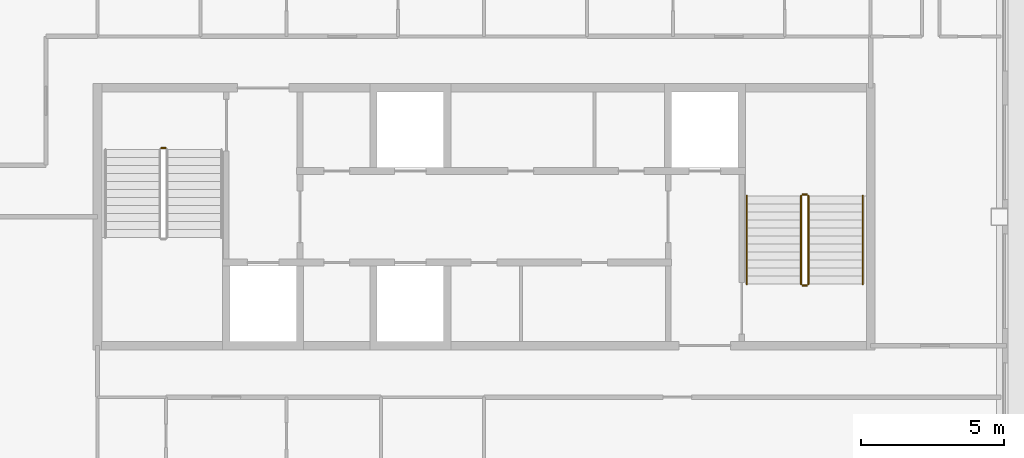
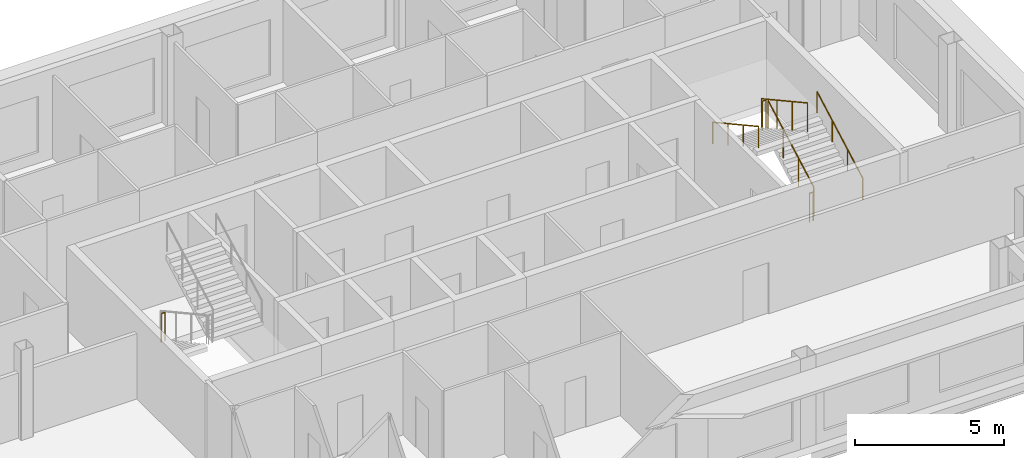
# One storey, part 12 of 12: 7 railings.
"""IFC4 building model written with IfcOpenShell, lengths in metres."""

from ifc_helpers import new_model, si_unit, direction, frame, origin, origin_2d, place, context, subcontext, project, spatial, circle, extrude, material, type_object, element, save


model = new_model("IFC4")

# Units and contexts
model_context = context("Model", 3, precision=1e-05, world=origin(), true_north=direction((0.0, 1.0)))
body_context = subcontext(model_context, "Body", "Model", "MODEL_VIEW")
ifc_project = project(units=[si_unit("LENGTHUNIT", "METRE"), si_unit("AREAUNIT", "SQUARE_METRE"), si_unit("VOLUMEUNIT", "CUBIC_METRE"), si_unit("PLANEANGLEUNIT", "RADIAN"), si_unit("MASSUNIT", "GRAM", prefix="KILO")], contexts=[model_context])

# Site, building, storey
site_placement = place(None, origin())
site = spatial("IfcSite", under=ifc_project, at=site_placement, CompositionType="ELEMENT")
building_placement = place(site_placement, origin())
building = spatial("IfcBuilding", under=site, at=building_placement, Name="Caravel Reach Hotel and Residences", CompositionType="ELEMENT")
storey_placement = place(building_placement, frame((0.0, 0.0, 241.60009765625)))
storey = spatial("IfcBuildingStorey", under=building, at=storey_placement, Name="L61", CompositionType="ELEMENT", Elevation=241.60009765625)

# Railings
ifc_material_1 = material(Name="Steel balustrade with glass infill", Category="steel")
railing_type_1 = type_object("IfcRailingType", Name="Guard 1200", PredefinedType="GUARDRAIL", material=ifc_material_1)
railing_1_placement = place(storey_placement, frame((20.22509765625, 29.39990234375, 0.0)))
element("IfcRailing", 1, at=railing_1_placement, inside=storey, type_object=railing_type_1, Name="L61 ST-A stair guard 4", PredefinedType="GUARDRAIL", context=body_context, shape_type="SweptSolid", body=[
    extrude(circle(Radius=0.02392578125, at=origin_2d()), frame((0.0, 0.0, 1.17578125), z_axis=(1.0, 0.0, 0.0), x_axis=(0.0, 1.0, 0.0)), (0.0, 0.0, 1.0), 0.14990234375),
    extrude(circle(Radius=0.02099609375, at=origin_2d()), origin(), (0.0, 0.0, 1.0), 1.15185546875),
    extrude(circle(Radius=0.02099609375, at=origin_2d()), frame((0.14990234375, 0.0, 0.0)), (0.0, 0.0, 1.0), 1.15185546875),
])
railing_2_placement = place(storey_placement, frame((42.824951171875, 24.64990234375, 0.154052734375)))
element("IfcRailing", 2, at=railing_2_placement, inside=storey, type_object=railing_type_1, Name="L61 ST-B stair guard 1", PredefinedType="GUARDRAIL", context=body_context, shape_type="SweptSolid", body=[
    extrude(circle(Radius=0.02392578125, at=origin_2d()), frame((0.0, 0.0, 1.17578125), z_axis=(0.0, 0.876004717809, 0.482302534076), x_axis=(-1.0, 0.0, 0.0)), (0.0, 0.0, 1.0), 3.51611328125),
    extrude(circle(Radius=0.02099609375, at=origin_2d()), origin(), (0.0, 0.0, 1.0), 1.15185546875),
    extrude(circle(Radius=0.02099609375, at=origin_2d()), frame((0.0, 1.026611328125, 0.565185546875)), (0.0, 0.0, 1.0), 1.15185546875),
    extrude(circle(Radius=0.02099609375, at=origin_2d()), frame((0.0, 2.053466796875, 1.130615234375)), (0.0, 0.0, 1.0), 1.15185546875),
    extrude(circle(Radius=0.02099609375, at=origin_2d()), frame((0.0, 3.080078125, 1.69580078125)), (0.0, 0.0, 1.0), 1.15185546875),
])
railing_3_placement = place(storey_placement, frame((42.77490234375, 27.780029296875, 1.849853515625)))
element("IfcRailing", 3, at=railing_3_placement, inside=storey, type_object=railing_type_1, Name="L61 ST-B stair guard 2", PredefinedType="GUARDRAIL", context=body_context, shape_type="SweptSolid", body=[
    extrude(circle(Radius=0.02392578125, at=origin_2d()), frame((0.0, 0.0, 1.17578125), z_axis=(-1.0, 0.0, 0.0), x_axis=(0.0, -1.0, 0.0)), (0.0, 0.0, 1.0), 0.14990234375),
    extrude(circle(Radius=0.02099609375, at=origin_2d()), origin(), (0.0, 0.0, 1.0), 1.15185546875),
    extrude(circle(Radius=0.02099609375, at=origin_2d()), frame((-0.14990234375, 0.0, 0.0)), (0.0, 0.0, 1.0), 1.15185546875),
])
railing_4_placement = place(storey_placement, frame((42.574951171875, 27.72998046875, 2.004150390625)))
element("IfcRailing", 4, at=railing_4_placement, inside=storey, type_object=railing_type_1, Name="L61 ST-B stair guard 3", PredefinedType="GUARDRAIL", context=body_context, shape_type="SweptSolid", body=[
    extrude(circle(Radius=0.02392578125, at=origin_2d()), frame((0.0, 0.0, 1.17578125), z_axis=(0.0, -0.876004717809, 0.482302534076), x_axis=(1.0, 0.0, 0.0)), (0.0, 0.0, 1.0), 3.51611328125),
    extrude(circle(Radius=0.02099609375, at=origin_2d()), origin(), (0.0, 0.0, 1.0), 1.15185546875),
    extrude(circle(Radius=0.02099609375, at=origin_2d()), frame((0.0, -1.026611328125, 0.565185546875)), (0.0, 0.0, 1.0), 1.15185546875),
    extrude(circle(Radius=0.02099609375, at=origin_2d()), frame((0.0, -2.053466796875, 1.130615234375)), (0.0, 0.0, 1.0), 1.15185546875),
    extrude(circle(Radius=0.02099609375, at=origin_2d()), frame((0.0, -3.080078125, 1.69580078125)), (0.0, 0.0, 1.0), 1.15185546875),
])
railing_5_placement = place(storey_placement, frame((42.77490234375, 24.60009765625, 0.0)))
element("IfcRailing", 5, at=railing_5_placement, inside=storey, type_object=railing_type_1, Name="L61 ST-B stair guard 4", PredefinedType="GUARDRAIL", context=body_context, shape_type="SweptSolid", body=[
    extrude(circle(Radius=0.02392578125, at=origin_2d()), frame((0.0, 0.0, 1.17578125), z_axis=(-1.0, 0.0, 0.0), x_axis=(0.0, -1.0, 0.0)), (0.0, 0.0, 1.0), 0.14990234375),
    extrude(circle(Radius=0.02099609375, at=origin_2d()), origin(), (0.0, 0.0, 1.0), 1.15185546875),
    extrude(circle(Radius=0.02099609375, at=origin_2d()), frame((-0.14990234375, 0.0, 0.0)), (0.0, 0.0, 1.0), 1.15185546875),
])
ifc_material_2 = material(Name="Stainless steel handrail", Category="steel")
railing_type_2 = type_object("IfcRailingType", Name="Handrail 900", PredefinedType="HANDRAIL", material=ifc_material_2)
railing_6_placement = place(storey_placement, frame((44.72509765625, 24.64990234375, 0.154052734375)))
element("IfcRailing", 6, at=railing_6_placement, inside=storey, type_object=railing_type_2, Name="L61 ST-B stair handrail 1", PredefinedType="HANDRAIL", context=body_context, shape_type="SweptSolid", body=[
    extrude(circle(Radius=0.02392578125, at=origin_2d()), frame((0.0, 0.0, 0.8759765625), z_axis=(0.0, 0.876004717809, 0.482302534076), x_axis=(-1.0, 0.0, 0.0)), (0.0, 0.0, 1.0), 3.51611328125),
    extrude(circle(Radius=0.02099609375, at=origin_2d()), origin(), (0.0, 0.0, 1.0), 0.851806640625),
    extrude(circle(Radius=0.02099609375, at=origin_2d()), frame((0.0, 1.026611328125, 0.565185546875)), (0.0, 0.0, 1.0), 0.851806640625),
    extrude(circle(Radius=0.02099609375, at=origin_2d()), frame((0.0, 2.053466796875, 1.130615234375)), (0.0, 0.0, 1.0), 0.851806640625),
    extrude(circle(Radius=0.02099609375, at=origin_2d()), frame((0.0, 3.080078125, 1.69580078125)), (0.0, 0.0, 1.0), 0.851806640625),
])
railing_7_placement = place(storey_placement, frame((40.675048828125, 27.72998046875, 2.004150390625)))
element("IfcRailing", 7, at=railing_7_placement, inside=storey, type_object=railing_type_2, Name="L61 ST-B stair handrail 2", PredefinedType="HANDRAIL", context=body_context, shape_type="SweptSolid", body=[
    extrude(circle(Radius=0.02392578125, at=origin_2d()), frame((0.0, 0.0, 0.8759765625), z_axis=(0.0, -0.876004717809, 0.482302534076), x_axis=(1.0, 0.0, 0.0)), (0.0, 0.0, 1.0), 3.51611328125),
    extrude(circle(Radius=0.02099609375, at=origin_2d()), origin(), (0.0, 0.0, 1.0), 0.851806640625),
    extrude(circle(Radius=0.02099609375, at=origin_2d()), frame((0.0, -1.026611328125, 0.565185546875)), (0.0, 0.0, 1.0), 0.851806640625),
    extrude(circle(Radius=0.02099609375, at=origin_2d()), frame((0.0, -2.053466796875, 1.130615234375)), (0.0, 0.0, 1.0), 0.851806640625),
    extrude(circle(Radius=0.02099609375, at=origin_2d()), frame((0.0, -3.080078125, 1.69580078125)), (0.0, 0.0, 1.0), 0.851806640625),
])

save(model, "model.ifc")
